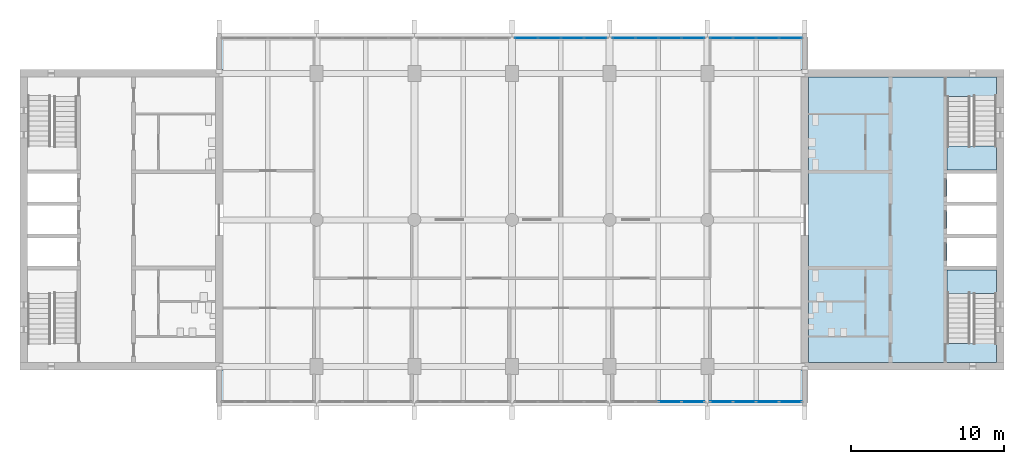
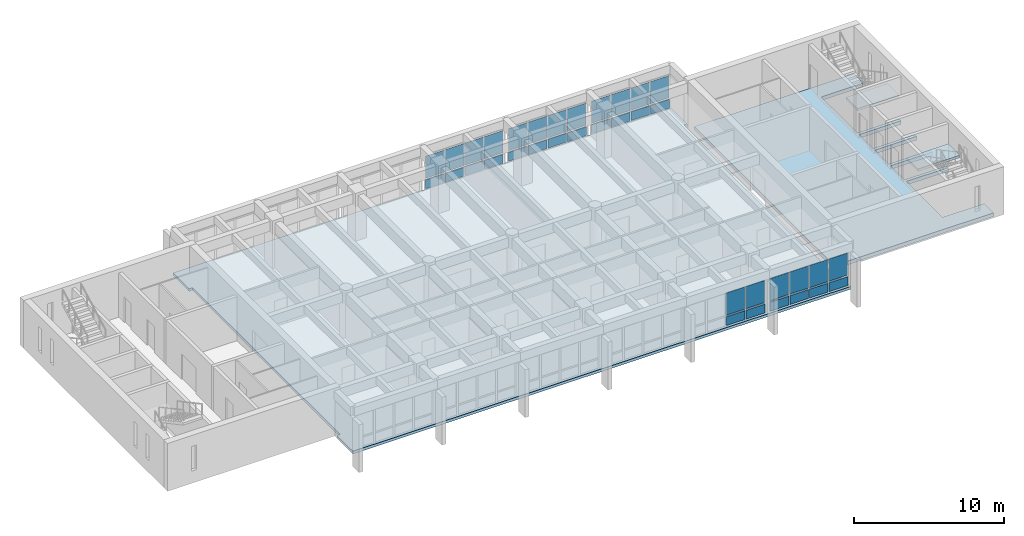
# One storey, part 8 of 15: 36 plates, 4 slabs, 7 elements without a shape of their own.
"""IFC4 building model written with IfcOpenShell, lengths in metres."""

from ifc_helpers import new_model, si_unit, direction, frame, origin, origin_2d, place, context, subcontext, project, spatial, polyline, rectangle, outline, extrude, material, layer, layer_set, type_object, element, aggregate, save


model = new_model("IFC4")

# Units and contexts
model_context = context("Model", 3, precision=1e-05, world=origin(), true_north=direction((0.0, 1.0)))
body_context = subcontext(model_context, "Body", "Model", "MODEL_VIEW")
ifc_project = project(units=[si_unit("LENGTHUNIT", "METRE"), si_unit("AREAUNIT", "SQUARE_METRE"), si_unit("VOLUMEUNIT", "CUBIC_METRE"), si_unit("PLANEANGLEUNIT", "RADIAN"), si_unit("MASSUNIT", "GRAM", prefix="KILO")], contexts=[model_context])

# Site, building, storey
site_placement = place(None, origin())
site = spatial("IfcSite", under=ifc_project, at=site_placement, CompositionType="ELEMENT")
building_placement = place(site_placement, origin())
building = spatial("IfcBuilding", under=site, at=building_placement, Name="Fogon Plaza Fire Station and Headquarters Tower", CompositionType="ELEMENT")
storey_placement = place(building_placement, frame((0.0, 0.0, 56.10009765625)))
storey = spatial("IfcBuildingStorey", under=building, at=storey_placement, Name="L14", CompositionType="ELEMENT", Elevation=56.10009765625)

# Slabs
ifc_material_1 = material(Name="Concrete C40", Category="concrete")
ifc_layer_1 = layer(ifc_material_1, 0.300048828125)
ifc_layer_set_1 = layer_set([ifc_layer_1], Name="Concrete C40")
slab_type_1 = type_object("IfcSlabType", Name="Core Floor Slab RC 300", PredefinedType="FLOOR", material=ifc_layer_set_1)
slab_1_placement = place(storey_placement, frame((0.0, 0.0, -0.300048828125)))
element("IfcSlab", 1, at=slab_1_placement, inside=storey, type_object=slab_type_1, Name="Core B floor", PredefinedType="FLOOR", context=body_context, shape_type="SweptSolid", body=[
    extrude(outline(polyline([(76.550048828125, 35.110107421875), (73.324951171875, 35.110107421875), (73.324951171875, 39.925048828125), (76.550048828125, 39.925048828125), (76.550048828125, 40.175048828125), (73.324951171875, 40.175048828125), (73.324951171875, 42.02490234375), (76.550048828125, 42.02490234375), (76.550048828125, 42.27490234375), (73.324951171875, 42.27490234375), (73.324951171875, 44.125), (76.550048828125, 44.125), (76.550048828125, 44.375), (73.324951171875, 44.375), (73.324951171875, 46.22509765625), (76.550048828125, 46.22509765625), (76.550048828125, 46.47509765625), (73.324951171875, 46.47509765625), (73.324951171875, 51.2900390625), (76.550048828125, 51.2900390625), (76.550048828125, 52.550048828125), (64.25, 52.550048828125), (64.25, 33.85009765625), (76.550048828125, 33.85009765625), (76.550048828125, 35.110107421875)])), origin(), (0.0, 0.0, 1.0), 0.300048828125),
])
ifc_material_2 = material(Name="Concrete C40", Category="concrete")
ifc_layer_2 = layer(ifc_material_2, 0.219970703125)
ifc_layer_set_2 = layer_set([ifc_layer_2], Name="Concrete C40")
slab_type_2 = type_object("IfcSlabType", Name="Floor slab 220 S22", PredefinedType="FLOOR", material=ifc_layer_set_2)
slab_2_placement = place(storey_placement, frame((0.0, 0.0, -0.22021484375)))
element("IfcSlab", 2, at=slab_2_placement, inside=storey, type_object=slab_type_2, Name="slab-L14-bar", PredefinedType="FLOOR", context=body_context, shape_type="SweptSolid", body=[
    extrude(outline(polyline([(64.0, 31.199951171875), (25.60009765625, 31.199951171875), (25.60009765625, 33.35009765625), (25.85009765625, 33.35009765625), (25.85009765625, 53.050048828125), (25.60009765625, 53.050048828125), (25.60009765625, 55.199951171875), (64.0, 55.199951171875), (64.0, 53.050048828125), (63.75, 53.050048828125), (63.75, 33.35009765625), (64.0, 33.35009765625), (64.0, 31.199951171875)])), origin(), (0.0, 0.0, 1.0), 0.22021484375),
])

# Curtain wall, plates
ifc_material_3 = material(Name="Aluminium and glass", Category="aluminium")
ifc_layer_3 = layer(ifc_material_3, 0.14990234375)
ifc_layer_set_3 = layer_set([ifc_layer_3], Name="Aluminium and glass")
curtain_wall_type = type_object("IfcCurtainWallType", Name="Unitised Curtain Wall Run 6100x2880", PredefinedType="NOTDEFINED", material=ifc_layer_set_3)
curtain_wall_1_placement = place(storey_placement, origin())
curtain_wall_1 = element("IfcCurtainWall", 3, at=curtain_wall_1_placement, inside=storey, type_object=curtain_wall_type, Name="CW-6100x2880 S5 L14", PredefinedType="NOTDEFINED")
ifc_material_4 = material(Name="Insulated aluminium spandrel", Category="aluminium")
ifc_layer_4 = layer(ifc_material_4, 0.06005859375)
ifc_layer_set_4 = layer_set([ifc_layer_4], Name="Insulated aluminium spandrel")
plate_type_1 = type_object("IfcPlateType", Name="Insulated Spandrel Panel", PredefinedType="CURTAIN_PANEL", material=ifc_layer_set_4)
plate_1_placement = place(storey_placement, frame((55.155029296875, 31.280029296875, 0.1201171875), z_axis=(0.0, 0.0, 1.0), x_axis=(1.0, 0.0, 0.0)))
plate_1 = element("IfcPlate", 4, at=plate_1_placement, type_object=plate_type_1, Name="SP1 panel 3.1", PredefinedType="CURTAIN_PANEL", context=body_context, shape_type="SweptSolid", body=[
    extrude(rectangle(XDim=1.449951171875, YDim=0.06005859375, at=origin_2d()), origin(), (0.0, 0.0, 1.0), 0.719970703125),
])
plate_2_placement = place(storey_placement, frame((56.6650390625, 31.280029296875, 0.1201171875), z_axis=(0.0, 0.0, 1.0), x_axis=(1.0, 0.0, 0.0)))
plate_2 = element("IfcPlate", 5, at=plate_2_placement, type_object=plate_type_1, Name="SP1 panel 4.1", PredefinedType="CURTAIN_PANEL", context=body_context, shape_type="SweptSolid", body=[
    extrude(rectangle(XDim=1.449951171875, YDim=0.06005859375, at=origin_2d()), origin(), (0.0, 0.0, 1.0), 0.719970703125),
])

curtain_wall_2_placement = place(storey_placement, origin())
curtain_wall_2 = element("IfcCurtainWall", 6, at=curtain_wall_2_placement, inside=storey, type_object=curtain_wall_type, Name="CW-6100x2880 S6 L14", PredefinedType="NOTDEFINED")
plate_3_placement = place(storey_placement, frame((58.534912109375, 31.280029296875, 0.1201171875), z_axis=(0.0, 0.0, 1.0), x_axis=(1.0, 0.0, 0.0)))
plate_3 = element("IfcPlate", 7, at=plate_3_placement, type_object=plate_type_1, Name="SP1 panel 1.1", PredefinedType="CURTAIN_PANEL", context=body_context, shape_type="SweptSolid", body=[
    extrude(rectangle(XDim=1.449951171875, YDim=0.06005859375, at=origin_2d()), origin(), (0.0, 0.0, 1.0), 0.719970703125),
])
plate_4_placement = place(storey_placement, frame((60.044921875, 31.280029296875, 0.1201171875), z_axis=(0.0, 0.0, 1.0), x_axis=(1.0, 0.0, 0.0)))
plate_4 = element("IfcPlate", 8, at=plate_4_placement, type_object=plate_type_1, Name="SP1 panel 2.1", PredefinedType="CURTAIN_PANEL", context=body_context, shape_type="SweptSolid", body=[
    extrude(rectangle(XDim=1.449951171875, YDim=0.06005859375, at=origin_2d()), origin(), (0.0, 0.0, 1.0), 0.719970703125),
])
plate_5_placement = place(storey_placement, frame((61.554931640625, 31.280029296875, 0.1201171875), z_axis=(0.0, 0.0, 1.0), x_axis=(1.0, 0.0, 0.0)))
plate_5 = element("IfcPlate", 9, at=plate_5_placement, type_object=plate_type_1, Name="SP1 panel 3.1", PredefinedType="CURTAIN_PANEL", context=body_context, shape_type="SweptSolid", body=[
    extrude(rectangle(XDim=1.449951171875, YDim=0.06005859375, at=origin_2d()), origin(), (0.0, 0.0, 1.0), 0.719970703125),
])
plate_6_placement = place(storey_placement, frame((63.06494140625, 31.280029296875, 0.1201171875), z_axis=(0.0, 0.0, 1.0), x_axis=(1.0, 0.0, 0.0)))
plate_6 = element("IfcPlate", 10, at=plate_6_placement, type_object=plate_type_1, Name="SP1 panel 4.1", PredefinedType="CURTAIN_PANEL", context=body_context, shape_type="SweptSolid", body=[
    extrude(rectangle(XDim=1.449951171875, YDim=0.06005859375, at=origin_2d()), origin(), (0.0, 0.0, 1.0), 0.719970703125),
])

curtain_wall_3_placement = place(storey_placement, origin())
curtain_wall_3 = element("IfcCurtainWall", 11, at=curtain_wall_3_placement, inside=storey, type_object=curtain_wall_type, Name="CW-6100x2880 N4 L14", PredefinedType="NOTDEFINED")
plate_7_placement = place(storey_placement, frame((45.735107421875, 55.1201171875, 0.1201171875), z_axis=(0.0, 0.0, 1.0), x_axis=(1.0, 0.0, 0.0)))
plate_7 = element("IfcPlate", 12, at=plate_7_placement, type_object=plate_type_1, Name="SP1 panel 1.1", PredefinedType="CURTAIN_PANEL", context=body_context, shape_type="SweptSolid", body=[
    extrude(rectangle(XDim=1.449951171875, YDim=0.06005859375, at=origin_2d()), origin(), (0.0, 0.0, 1.0), 0.719970703125),
])
plate_8_placement = place(storey_placement, frame((47.2451171875, 55.1201171875, 0.1201171875), z_axis=(0.0, 0.0, 1.0), x_axis=(1.0, 0.0, 0.0)))
plate_8 = element("IfcPlate", 13, at=plate_8_placement, type_object=plate_type_1, Name="SP1 panel 2.1", PredefinedType="CURTAIN_PANEL", context=body_context, shape_type="SweptSolid", body=[
    extrude(rectangle(XDim=1.449951171875, YDim=0.06005859375, at=origin_2d()), origin(), (0.0, 0.0, 1.0), 0.719970703125),
])
plate_9_placement = place(storey_placement, frame((48.7548828125, 55.1201171875, 0.1201171875), z_axis=(0.0, 0.0, 1.0), x_axis=(1.0, 0.0, 0.0)))
plate_9 = element("IfcPlate", 14, at=plate_9_placement, type_object=plate_type_1, Name="SP1 panel 3.1", PredefinedType="CURTAIN_PANEL", context=body_context, shape_type="SweptSolid", body=[
    extrude(rectangle(XDim=1.449951171875, YDim=0.06005859375, at=origin_2d()), origin(), (0.0, 0.0, 1.0), 0.719970703125),
])
plate_10_placement = place(storey_placement, frame((50.264892578125, 55.1201171875, 0.1201171875), z_axis=(0.0, 0.0, 1.0), x_axis=(1.0, 0.0, 0.0)))
plate_10 = element("IfcPlate", 15, at=plate_10_placement, type_object=plate_type_1, Name="SP1 panel 4.1", PredefinedType="CURTAIN_PANEL", context=body_context, shape_type="SweptSolid", body=[
    extrude(rectangle(XDim=1.449951171875, YDim=0.06005859375, at=origin_2d()), origin(), (0.0, 0.0, 1.0), 0.719970703125),
])

curtain_wall_4_placement = place(storey_placement, origin())
curtain_wall_4 = element("IfcCurtainWall", 16, at=curtain_wall_4_placement, inside=storey, type_object=curtain_wall_type, Name="CW-6100x2880 N5 L14", PredefinedType="NOTDEFINED")
plate_11_placement = place(storey_placement, frame((52.135009765625, 55.1201171875, 0.1201171875), z_axis=(0.0, 0.0, 1.0), x_axis=(1.0, 0.0, 0.0)))
plate_11 = element("IfcPlate", 17, at=plate_11_placement, type_object=plate_type_1, Name="SP1 panel 1.1", PredefinedType="CURTAIN_PANEL", context=body_context, shape_type="SweptSolid", body=[
    extrude(rectangle(XDim=1.449951171875, YDim=0.06005859375, at=origin_2d()), origin(), (0.0, 0.0, 1.0), 0.719970703125),
])
plate_12_placement = place(storey_placement, frame((53.64501953125, 55.1201171875, 0.1201171875), z_axis=(0.0, 0.0, 1.0), x_axis=(1.0, 0.0, 0.0)))
plate_12 = element("IfcPlate", 18, at=plate_12_placement, type_object=plate_type_1, Name="SP1 panel 2.1", PredefinedType="CURTAIN_PANEL", context=body_context, shape_type="SweptSolid", body=[
    extrude(rectangle(XDim=1.449951171875, YDim=0.06005859375, at=origin_2d()), origin(), (0.0, 0.0, 1.0), 0.719970703125),
])
plate_13_placement = place(storey_placement, frame((55.155029296875, 55.1201171875, 0.1201171875), z_axis=(0.0, 0.0, 1.0), x_axis=(1.0, 0.0, 0.0)))
plate_13 = element("IfcPlate", 19, at=plate_13_placement, type_object=plate_type_1, Name="SP1 panel 3.1", PredefinedType="CURTAIN_PANEL", context=body_context, shape_type="SweptSolid", body=[
    extrude(rectangle(XDim=1.449951171875, YDim=0.06005859375, at=origin_2d()), origin(), (0.0, 0.0, 1.0), 0.719970703125),
])
plate_14_placement = place(storey_placement, frame((56.6650390625, 55.1201171875, 0.1201171875), z_axis=(0.0, 0.0, 1.0), x_axis=(1.0, 0.0, 0.0)))
plate_14 = element("IfcPlate", 20, at=plate_14_placement, type_object=plate_type_1, Name="SP1 panel 4.1", PredefinedType="CURTAIN_PANEL", context=body_context, shape_type="SweptSolid", body=[
    extrude(rectangle(XDim=1.449951171875, YDim=0.06005859375, at=origin_2d()), origin(), (0.0, 0.0, 1.0), 0.719970703125),
])

curtain_wall_5_placement = place(storey_placement, origin())
curtain_wall_5 = element("IfcCurtainWall", 21, at=curtain_wall_5_placement, inside=storey, type_object=curtain_wall_type, Name="CW-6100x2880 N6 L14", PredefinedType="NOTDEFINED")
plate_15_placement = place(storey_placement, frame((58.534912109375, 55.1201171875, 0.1201171875), z_axis=(0.0, 0.0, 1.0), x_axis=(1.0, 0.0, 0.0)))
plate_15 = element("IfcPlate", 22, at=plate_15_placement, type_object=plate_type_1, Name="SP1 panel 1.1", PredefinedType="CURTAIN_PANEL", context=body_context, shape_type="SweptSolid", body=[
    extrude(rectangle(XDim=1.449951171875, YDim=0.06005859375, at=origin_2d()), origin(), (0.0, 0.0, 1.0), 0.719970703125),
])
plate_16_placement = place(storey_placement, frame((60.044921875, 55.1201171875, 0.1201171875), z_axis=(0.0, 0.0, 1.0), x_axis=(1.0, 0.0, 0.0)))
plate_16 = element("IfcPlate", 23, at=plate_16_placement, type_object=plate_type_1, Name="SP1 panel 2.1", PredefinedType="CURTAIN_PANEL", context=body_context, shape_type="SweptSolid", body=[
    extrude(rectangle(XDim=1.449951171875, YDim=0.06005859375, at=origin_2d()), origin(), (0.0, 0.0, 1.0), 0.719970703125),
])
plate_17_placement = place(storey_placement, frame((61.554931640625, 55.1201171875, 0.1201171875), z_axis=(0.0, 0.0, 1.0), x_axis=(1.0, 0.0, 0.0)))
plate_17 = element("IfcPlate", 24, at=plate_17_placement, type_object=plate_type_1, Name="SP1 panel 3.1", PredefinedType="CURTAIN_PANEL", context=body_context, shape_type="SweptSolid", body=[
    extrude(rectangle(XDim=1.449951171875, YDim=0.06005859375, at=origin_2d()), origin(), (0.0, 0.0, 1.0), 0.719970703125),
])
plate_18_placement = place(storey_placement, frame((63.06494140625, 55.1201171875, 0.1201171875), z_axis=(0.0, 0.0, 1.0), x_axis=(1.0, 0.0, 0.0)))
plate_18 = element("IfcPlate", 25, at=plate_18_placement, type_object=plate_type_1, Name="SP1 panel 4.1", PredefinedType="CURTAIN_PANEL", context=body_context, shape_type="SweptSolid", body=[
    extrude(rectangle(XDim=1.449951171875, YDim=0.06005859375, at=origin_2d()), origin(), (0.0, 0.0, 1.0), 0.719970703125),
])

# Stair, slab
ifc_material_5 = material(Name="Concrete C40", Category="concrete")
stair_type = type_object("IfcStairType", Name="Exit Stair Two Flights", PredefinedType="TWO_STRAIGHT_RUN_STAIR", material=ifc_material_5)
stair_1_placement = place(storey_placement, origin())
stair_1 = element("IfcStair", 26, at=stair_1_placement, inside=storey, type_object=stair_type, Name="Stair ST3", PredefinedType="TWO_STRAIGHT_RUN_STAIR")
ifc_material_6 = material(Name="Concrete C40", Category="concrete")
ifc_layer_5 = layer(ifc_material_6, 0.300048828125)
ifc_layer_set_5 = layer_set([ifc_layer_5], Name="Concrete C40")
slab_type_3 = type_object("IfcSlabType", Name="Stair Landing RC 300", PredefinedType="LANDING", material=ifc_layer_set_5)
slab_3_placement = place(storey_placement, frame((0.0, 0.0, 1.75)))
slab_3 = element("IfcSlab", 27, at=slab_3_placement, type_object=slab_type_3, Name="ST3 landing L16", PredefinedType="LANDING", context=body_context, shape_type="SweptSolid", body=[
    extrude(outline(polyline([(73.324951171875, 38.375), (76.550048828125, 38.375), (76.550048828125, 39.925048828125), (73.324951171875, 39.925048828125), (73.324951171875, 38.375)])), origin(), (0.0, 0.0, 1.0), 0.199951171875),
])
aggregate(stair_1, [slab_3])

stair_2_placement = place(storey_placement, origin())
stair_2 = element("IfcStair", 28, at=stair_2_placement, inside=storey, type_object=stair_type, Name="Stair ST4", PredefinedType="TWO_STRAIGHT_RUN_STAIR")
slab_4_placement = place(storey_placement, frame((0.0, 0.0, 1.75)))
slab_4 = element("IfcSlab", 29, at=slab_4_placement, type_object=slab_type_3, Name="ST4 landing L16", PredefinedType="LANDING", context=body_context, shape_type="SweptSolid", body=[
    extrude(outline(polyline([(73.324951171875, 46.47509765625), (76.550048828125, 46.47509765625), (76.550048828125, 48.02490234375), (73.324951171875, 48.02490234375), (73.324951171875, 46.47509765625)])), origin(), (0.0, 0.0, 1.0), 0.199951171875),
])
aggregate(stair_2, [slab_4])

# Plate
ifc_material_7 = material(Name="Low-e double glazing", Category="glass")
ifc_layer_6 = layer(ifc_material_7, 0.028076171875)
ifc_layer_set_6 = layer_set([ifc_layer_6], Name="Low-e double glazing")
plate_type_2 = type_object("IfcPlateType", Name="Vision Glass Panel 1450x1800", PredefinedType="CURTAIN_PANEL", material=ifc_layer_set_6)
plate_19_placement = place(storey_placement, frame((55.155029296875, 31.280029296875, 0.9599609375), z_axis=(0.0, 0.0, 1.0), x_axis=(1.0, 0.0, 0.0)))
plate_19 = element("IfcPlate", 30, at=plate_19_placement, type_object=plate_type_2, Name="VG-1450x1800 panel 3.2", PredefinedType="CURTAIN_PANEL", context=body_context, shape_type="SweptSolid", body=[
    extrude(rectangle(XDim=1.449951171875, YDim=0.028076171875, at=origin_2d()), origin(), (0.0, 0.0, 1.0), 1.800048828125),
])

plate_20_placement = place(storey_placement, frame((56.6650390625, 31.280029296875, 0.9599609375), z_axis=(0.0, 0.0, 1.0), x_axis=(1.0, 0.0, 0.0)))
plate_20 = element("IfcPlate", 31, at=plate_20_placement, type_object=plate_type_2, Name="VG-1450x1800 panel 4.2", PredefinedType="CURTAIN_PANEL", context=body_context, shape_type="SweptSolid", body=[
    extrude(rectangle(XDim=1.449951171875, YDim=0.028076171875, at=origin_2d()), origin(), (0.0, 0.0, 1.0), 1.800048828125),
])

aggregate(curtain_wall_1, [plate_1, plate_19, plate_2, plate_20])

plate_21_placement = place(storey_placement, frame((58.534912109375, 31.280029296875, 0.9599609375), z_axis=(0.0, 0.0, 1.0), x_axis=(1.0, 0.0, 0.0)))
plate_21 = element("IfcPlate", 32, at=plate_21_placement, type_object=plate_type_2, Name="VG-1450x1800 panel 1.2", PredefinedType="CURTAIN_PANEL", context=body_context, shape_type="SweptSolid", body=[
    extrude(rectangle(XDim=1.449951171875, YDim=0.028076171875, at=origin_2d()), origin(), (0.0, 0.0, 1.0), 1.800048828125),
])

plate_22_placement = place(storey_placement, frame((60.044921875, 31.280029296875, 0.9599609375), z_axis=(0.0, 0.0, 1.0), x_axis=(1.0, 0.0, 0.0)))
plate_22 = element("IfcPlate", 33, at=plate_22_placement, type_object=plate_type_2, Name="VG-1450x1800 panel 2.2", PredefinedType="CURTAIN_PANEL", context=body_context, shape_type="SweptSolid", body=[
    extrude(rectangle(XDim=1.449951171875, YDim=0.028076171875, at=origin_2d()), origin(), (0.0, 0.0, 1.0), 1.800048828125),
])

plate_23_placement = place(storey_placement, frame((61.554931640625, 31.280029296875, 0.9599609375), z_axis=(0.0, 0.0, 1.0), x_axis=(1.0, 0.0, 0.0)))
plate_23 = element("IfcPlate", 34, at=plate_23_placement, type_object=plate_type_2, Name="VG-1450x1800 panel 3.2", PredefinedType="CURTAIN_PANEL", context=body_context, shape_type="SweptSolid", body=[
    extrude(rectangle(XDim=1.449951171875, YDim=0.028076171875, at=origin_2d()), origin(), (0.0, 0.0, 1.0), 1.800048828125),
])

plate_24_placement = place(storey_placement, frame((63.06494140625, 31.280029296875, 0.9599609375), z_axis=(0.0, 0.0, 1.0), x_axis=(1.0, 0.0, 0.0)))
plate_24 = element("IfcPlate", 35, at=plate_24_placement, type_object=plate_type_2, Name="VG-1450x1800 panel 4.2", PredefinedType="CURTAIN_PANEL", context=body_context, shape_type="SweptSolid", body=[
    extrude(rectangle(XDim=1.449951171875, YDim=0.028076171875, at=origin_2d()), origin(), (0.0, 0.0, 1.0), 1.800048828125),
])

aggregate(curtain_wall_2, [plate_3, plate_21, plate_4, plate_22, plate_5, plate_23, plate_6, plate_24])

plate_25_placement = place(storey_placement, frame((45.735107421875, 55.1201171875, 0.9599609375), z_axis=(0.0, 0.0, 1.0), x_axis=(1.0, 0.0, 0.0)))
plate_25 = element("IfcPlate", 36, at=plate_25_placement, type_object=plate_type_2, Name="VG-1450x1800 panel 1.2", PredefinedType="CURTAIN_PANEL", context=body_context, shape_type="SweptSolid", body=[
    extrude(rectangle(XDim=1.449951171875, YDim=0.028076171875, at=origin_2d()), origin(), (0.0, 0.0, 1.0), 1.800048828125),
])

plate_26_placement = place(storey_placement, frame((47.2451171875, 55.1201171875, 0.9599609375), z_axis=(0.0, 0.0, 1.0), x_axis=(1.0, 0.0, 0.0)))
plate_26 = element("IfcPlate", 37, at=plate_26_placement, type_object=plate_type_2, Name="VG-1450x1800 panel 2.2", PredefinedType="CURTAIN_PANEL", context=body_context, shape_type="SweptSolid", body=[
    extrude(rectangle(XDim=1.449951171875, YDim=0.028076171875, at=origin_2d()), origin(), (0.0, 0.0, 1.0), 1.800048828125),
])

plate_27_placement = place(storey_placement, frame((48.7548828125, 55.1201171875, 0.9599609375), z_axis=(0.0, 0.0, 1.0), x_axis=(1.0, 0.0, 0.0)))
plate_27 = element("IfcPlate", 38, at=plate_27_placement, type_object=plate_type_2, Name="VG-1450x1800 panel 3.2", PredefinedType="CURTAIN_PANEL", context=body_context, shape_type="SweptSolid", body=[
    extrude(rectangle(XDim=1.449951171875, YDim=0.028076171875, at=origin_2d()), origin(), (0.0, 0.0, 1.0), 1.800048828125),
])

plate_28_placement = place(storey_placement, frame((50.264892578125, 55.1201171875, 0.9599609375), z_axis=(0.0, 0.0, 1.0), x_axis=(1.0, 0.0, 0.0)))
plate_28 = element("IfcPlate", 39, at=plate_28_placement, type_object=plate_type_2, Name="VG-1450x1800 panel 4.2", PredefinedType="CURTAIN_PANEL", context=body_context, shape_type="SweptSolid", body=[
    extrude(rectangle(XDim=1.449951171875, YDim=0.028076171875, at=origin_2d()), origin(), (0.0, 0.0, 1.0), 1.800048828125),
])

aggregate(curtain_wall_3, [plate_7, plate_25, plate_8, plate_26, plate_9, plate_27, plate_10, plate_28])

plate_29_placement = place(storey_placement, frame((52.135009765625, 55.1201171875, 0.9599609375), z_axis=(0.0, 0.0, 1.0), x_axis=(1.0, 0.0, 0.0)))
plate_29 = element("IfcPlate", 40, at=plate_29_placement, type_object=plate_type_2, Name="VG-1450x1800 panel 1.2", PredefinedType="CURTAIN_PANEL", context=body_context, shape_type="SweptSolid", body=[
    extrude(rectangle(XDim=1.449951171875, YDim=0.028076171875, at=origin_2d()), origin(), (0.0, 0.0, 1.0), 1.800048828125),
])

plate_30_placement = place(storey_placement, frame((53.64501953125, 55.1201171875, 0.9599609375), z_axis=(0.0, 0.0, 1.0), x_axis=(1.0, 0.0, 0.0)))
plate_30 = element("IfcPlate", 41, at=plate_30_placement, type_object=plate_type_2, Name="VG-1450x1800 panel 2.2", PredefinedType="CURTAIN_PANEL", context=body_context, shape_type="SweptSolid", body=[
    extrude(rectangle(XDim=1.449951171875, YDim=0.028076171875, at=origin_2d()), origin(), (0.0, 0.0, 1.0), 1.800048828125),
])

plate_31_placement = place(storey_placement, frame((55.155029296875, 55.1201171875, 0.9599609375), z_axis=(0.0, 0.0, 1.0), x_axis=(1.0, 0.0, 0.0)))
plate_31 = element("IfcPlate", 42, at=plate_31_placement, type_object=plate_type_2, Name="VG-1450x1800 panel 3.2", PredefinedType="CURTAIN_PANEL", context=body_context, shape_type="SweptSolid", body=[
    extrude(rectangle(XDim=1.449951171875, YDim=0.028076171875, at=origin_2d()), origin(), (0.0, 0.0, 1.0), 1.800048828125),
])

plate_32_placement = place(storey_placement, frame((56.6650390625, 55.1201171875, 0.9599609375), z_axis=(0.0, 0.0, 1.0), x_axis=(1.0, 0.0, 0.0)))
plate_32 = element("IfcPlate", 43, at=plate_32_placement, type_object=plate_type_2, Name="VG-1450x1800 panel 4.2", PredefinedType="CURTAIN_PANEL", context=body_context, shape_type="SweptSolid", body=[
    extrude(rectangle(XDim=1.449951171875, YDim=0.028076171875, at=origin_2d()), origin(), (0.0, 0.0, 1.0), 1.800048828125),
])

aggregate(curtain_wall_4, [plate_11, plate_29, plate_12, plate_30, plate_13, plate_31, plate_14, plate_32])

plate_33_placement = place(storey_placement, frame((58.534912109375, 55.1201171875, 0.9599609375), z_axis=(0.0, 0.0, 1.0), x_axis=(1.0, 0.0, 0.0)))
plate_33 = element("IfcPlate", 44, at=plate_33_placement, type_object=plate_type_2, Name="VG-1450x1800 panel 1.2", PredefinedType="CURTAIN_PANEL", context=body_context, shape_type="SweptSolid", body=[
    extrude(rectangle(XDim=1.449951171875, YDim=0.028076171875, at=origin_2d()), origin(), (0.0, 0.0, 1.0), 1.800048828125),
])

plate_34_placement = place(storey_placement, frame((60.044921875, 55.1201171875, 0.9599609375), z_axis=(0.0, 0.0, 1.0), x_axis=(1.0, 0.0, 0.0)))
plate_34 = element("IfcPlate", 45, at=plate_34_placement, type_object=plate_type_2, Name="VG-1450x1800 panel 2.2", PredefinedType="CURTAIN_PANEL", context=body_context, shape_type="SweptSolid", body=[
    extrude(rectangle(XDim=1.449951171875, YDim=0.028076171875, at=origin_2d()), origin(), (0.0, 0.0, 1.0), 1.800048828125),
])

plate_35_placement = place(storey_placement, frame((61.554931640625, 55.1201171875, 0.9599609375), z_axis=(0.0, 0.0, 1.0), x_axis=(1.0, 0.0, 0.0)))
plate_35 = element("IfcPlate", 46, at=plate_35_placement, type_object=plate_type_2, Name="VG-1450x1800 panel 3.2", PredefinedType="CURTAIN_PANEL", context=body_context, shape_type="SweptSolid", body=[
    extrude(rectangle(XDim=1.449951171875, YDim=0.028076171875, at=origin_2d()), origin(), (0.0, 0.0, 1.0), 1.800048828125),
])

plate_36_placement = place(storey_placement, frame((63.06494140625, 55.1201171875, 0.9599609375), z_axis=(0.0, 0.0, 1.0), x_axis=(1.0, 0.0, 0.0)))
plate_36 = element("IfcPlate", 47, at=plate_36_placement, type_object=plate_type_2, Name="VG-1450x1800 panel 4.2", PredefinedType="CURTAIN_PANEL", context=body_context, shape_type="SweptSolid", body=[
    extrude(rectangle(XDim=1.449951171875, YDim=0.028076171875, at=origin_2d()), origin(), (0.0, 0.0, 1.0), 1.800048828125),
])

aggregate(curtain_wall_5, [plate_15, plate_33, plate_16, plate_34, plate_17, plate_35, plate_18, plate_36])

save(model, "model.ifc")
